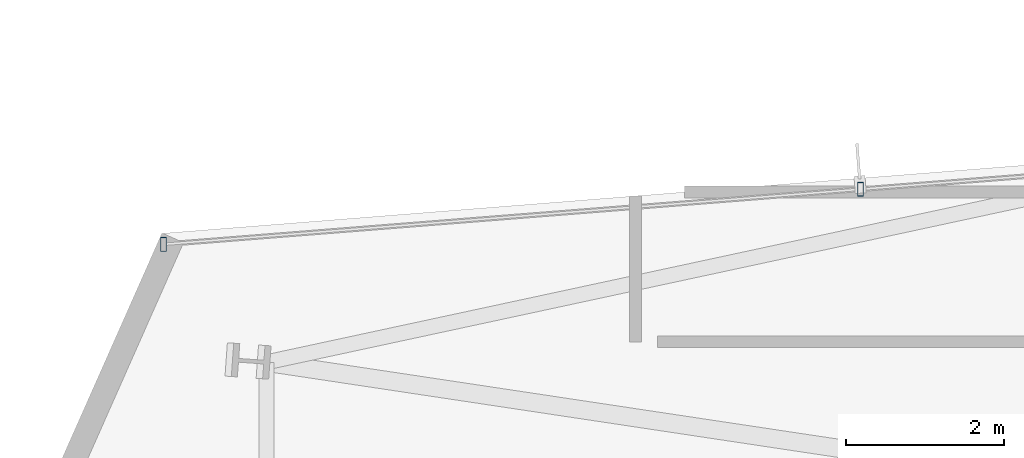
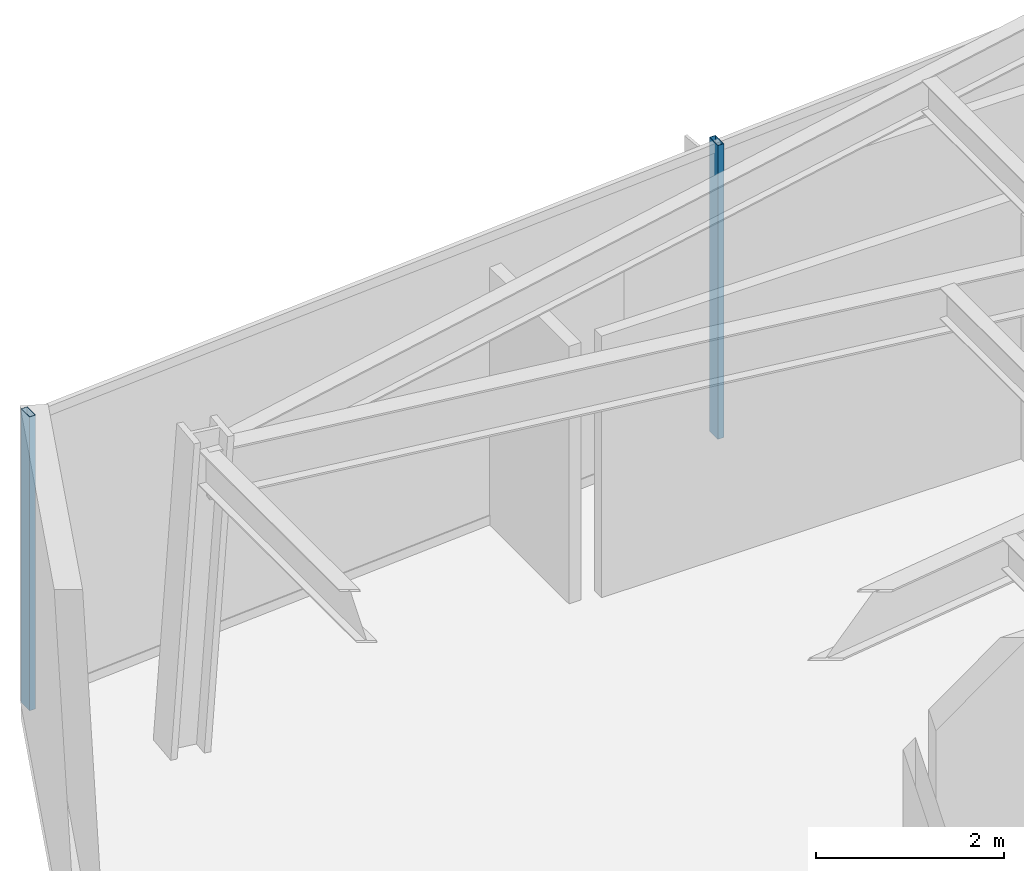
# One storey, part 7 of 25: 2 members, 1 element without a shape of its own.
"""IFC4 building model written with IfcOpenShell, lengths in metres."""

from ifc_helpers import new_model, si_unit, direction, frame, origin, origin_2d, place, context, subcontext, project, spatial, hollow_rectangle, extrude, material, layer, layer_set, material_profile, profile_set, type_object, element, aggregate, save


model = new_model("IFC4")

# Units and contexts
model_context = context("Model", 3, precision=1e-05, world=origin(), true_north=direction((0.0, 1.0)))
body_context = subcontext(model_context, "Body", "Model", "MODEL_VIEW")
ifc_project = project(units=[si_unit("LENGTHUNIT", "METRE"), si_unit("AREAUNIT", "SQUARE_METRE"), si_unit("VOLUMEUNIT", "CUBIC_METRE"), si_unit("PLANEANGLEUNIT", "RADIAN"), si_unit("MASSUNIT", "GRAM", prefix="KILO")], contexts=[model_context])

# Site, building, storey
site_placement = place(None, origin())
site = spatial("IfcSite", under=ifc_project, at=site_placement, CompositionType="ELEMENT")
building_placement = place(site_placement, origin())
building = spatial("IfcBuilding", under=site, at=building_placement, Name="Veymaron Broadcast Tower", CompositionType="ELEMENT")
storey_placement = place(building_placement, frame((0.0, 0.0, 82.35009765625)))
storey = spatial("IfcBuildingStorey", under=building, at=storey_placement, Name="L18", CompositionType="ELEMENT", Elevation=82.35009765625)

# Curtain wall, members
ifc_material_1 = material(Name="Anodised aluminium AA 6063-T6 and laminated low-E dark glass", Category="aluminium")
ifc_layer = layer(ifc_material_1, 0.179931640625)
ifc_layer_set = layer_set([ifc_layer], Name="Anodised aluminium AA 6063-T6 and laminated low-E dark glass")
curtain_wall_type = type_object("IfcCurtainWallType", Name="CW-SYS-02", PredefinedType="NOTDEFINED", material=ifc_layer_set)
curtain_wall_placement = place(storey_placement, origin())
curtain_wall = element("IfcCurtainWall", 1, at=curtain_wall_placement, inside=storey, type_object=curtain_wall_type, Name="L18 dark-glass curtain wall CW-L18-E11-1", PredefinedType="NOTDEFINED")
ifc_material_2 = material(Name="Anodised aluminium AA 6063-T6", Category="aluminium")
ifc_material_profile = material_profile(ifc_material_2, hollow_rectangle(XDim=0.074951171875, YDim=0.179931640625, WallThickness=0.0048828125, at=origin_2d()), Name="AL180X75X5")
ifc_profile_set = profile_set([ifc_material_profile], Name="Anodised aluminium AA 6063-T6")
member_type = type_object("IfcMemberType", Name="CW-MUL-02", PredefinedType="MULLION", material=ifc_profile_set)
member_1_placement = place(storey_placement, frame((16.85498046875, 29.486083984375, 0.0), z_axis=(0.0, 0.0, 1.0), x_axis=(1.0, 0.0, 0.0)))
member_1 = element("IfcMember", 2, at=member_1_placement, type_object=member_type, Name="CW-L18-E11-1 mullion 1", PredefinedType="MULLION", context=body_context, shape_type="SweptSolid", body=[
    extrude(hollow_rectangle(XDim=0.074951171875, YDim=0.179931640625, WallThickness=0.0048828125, at=origin_2d()), origin(), (0.0, 0.0, 1.0), 3.809814453125),
])
member_2_placement = place(storey_placement, frame((8.010986328125, 28.787353515625, 0.0), z_axis=(0.0, 0.0, 1.0), x_axis=(1.0, 0.0, 0.0)))
member_2 = element("IfcMember", 3, at=member_2_placement, type_object=member_type, Name="CW-L18-E11-1 mullion 2", PredefinedType="MULLION", context=body_context, shape_type="SweptSolid", body=[
    extrude(hollow_rectangle(XDim=0.074951171875, YDim=0.179931640625, WallThickness=0.0048828125, at=origin_2d()), origin(), (0.0, 0.0, 1.0), 3.809814453125),
])
aggregate(curtain_wall, [member_1, member_2])

save(model, "model.ifc")
